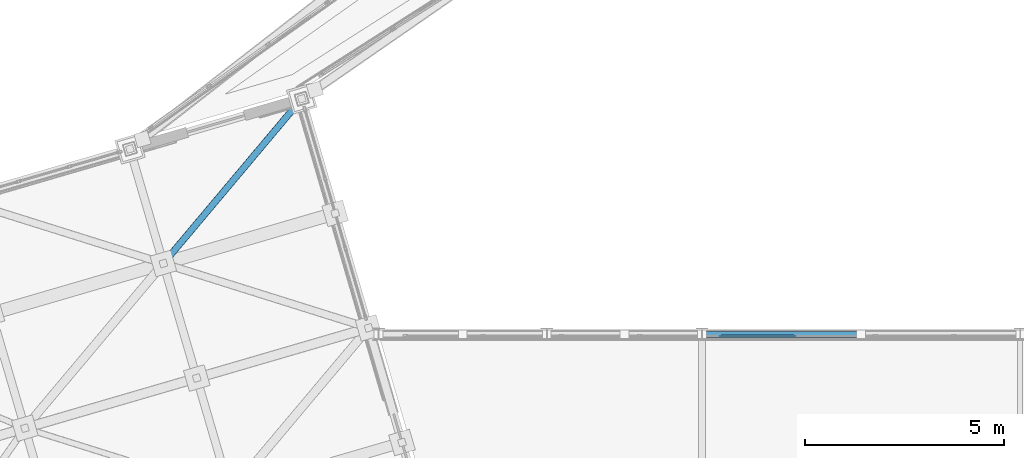
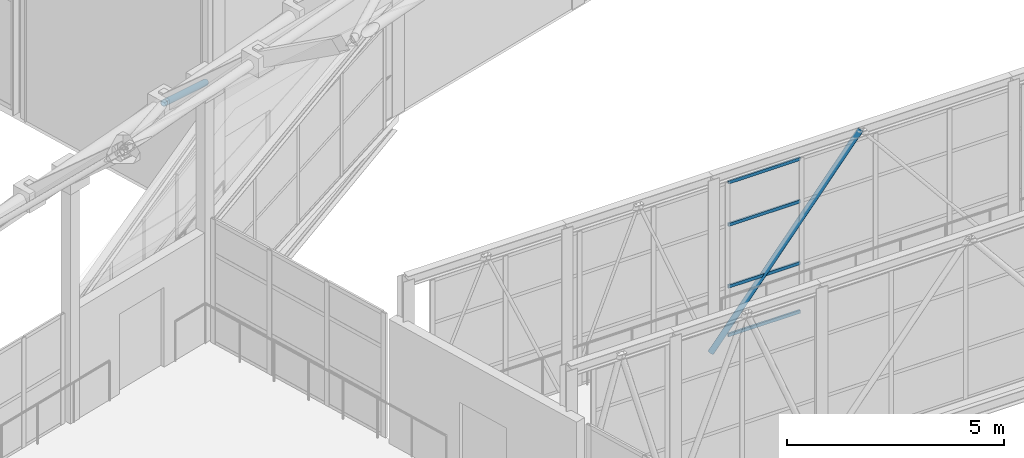
# One storey, part 128 of 248: 6 members, 1 element without a shape of its own.
"""IFC4 building model written with IfcOpenShell, lengths in metres."""

from ifc_helpers import new_model, si_unit, direction, frame, origin, origin_2d, place, context, subcontext, project, spatial, hollow_rectangle, hollow_circle, extrude, material, layer, layer_set, material_profile, profile_set, type_object, element, aggregate, save


model = new_model("IFC4")

# Units and contexts
model_context = context("Model", 3, precision=1e-05, world=origin(), true_north=direction((0.0, 1.0)))
body_context = subcontext(model_context, "Body", "Model", "MODEL_VIEW")
ifc_project = project(units=[si_unit("LENGTHUNIT", "METRE"), si_unit("AREAUNIT", "SQUARE_METRE"), si_unit("VOLUMEUNIT", "CUBIC_METRE"), si_unit("PLANEANGLEUNIT", "RADIAN"), si_unit("MASSUNIT", "GRAM", prefix="KILO")], contexts=[model_context])

# Site, building, storey
site_placement = place(None, origin())
site = spatial("IfcSite", under=ifc_project, at=site_placement, CompositionType="ELEMENT")
building_placement = place(site_placement, origin())
building = spatial("IfcBuilding", under=site, at=building_placement, Name="Canggui Botanical Conservatory", CompositionType="ELEMENT")
storey_placement = place(building_placement, frame((0.0, 0.0, 5.39990234375)))
storey = spatial("IfcBuildingStorey", under=building, at=storey_placement, Name="L02", CompositionType="ELEMENT", Elevation=5.39990234375)

# Curtain wall, members
ifc_material_1 = material(Name="Thermally Broken Aluminium", Category="aluminium")
ifc_layer = layer(ifc_material_1, 0.1201171875, Name="Thermally Broken Aluminium", Category="aluminium")
ifc_layer_set = layer_set([ifc_layer], Name="Thermally Broken Aluminium")
curtain_wall_type = type_object("IfcCurtainWallType", Name="CW-STICK-B", PredefinedType="USERDEFINED", material=ifc_layer_set)
curtain_wall_placement = place(storey_placement, origin())
curtain_wall = element("IfcCurtainWall", 1, at=curtain_wall_placement, inside=storey, type_object=curtain_wall_type, Name="Facade Curtain Wall CW-SB-04-2", ObjectType="STICK GLAZED WALL", PredefinedType="USERDEFINED")
ifc_material_profile_1 = material_profile(ifc_material_1, hollow_rectangle(XDim=0.044921875, YDim=0.090087890625, WallThickness=0.0029296875, at=origin_2d()), Name="CWT 45x90x3")
ifc_profile_set_1 = profile_set([ifc_material_profile_1], Name="Thermally Broken Aluminium")
member_type_1 = type_object("IfcMemberType", Name="CWT-05", PredefinedType="USERDEFINED", material=ifc_profile_set_1)
member_1_placement = place(storey_placement, frame((73.938720703125, 79.9599609375, 0.022705078125), z_axis=(1.0, 0.0, 0.0), x_axis=(0.0, 1.0, 0.0)))
member_1 = element("IfcMember", 2, at=member_1_placement, type_object=member_type_1, Name="CW-05 transom 5.1", ObjectType="TRANSOM", PredefinedType="USERDEFINED", context=body_context, shape_type="SweptSolid", body=[
    extrude(hollow_rectangle(XDim=0.044921875, YDim=0.090087890625, WallThickness=0.0029296875, at=origin_2d()), origin(), (0.0, 0.0, 1.0), 1.917724609375),
])
member_2_placement = place(storey_placement, frame((73.938720703125, 79.9599609375, 1.39208984375), z_axis=(1.0, 0.0, 0.0), x_axis=(0.0, 1.0, 0.0)))
member_2 = element("IfcMember", 3, at=member_2_placement, type_object=member_type_1, Name="CW-05 transom 5.2", ObjectType="TRANSOM", PredefinedType="USERDEFINED", context=body_context, shape_type="SweptSolid", body=[
    extrude(hollow_rectangle(XDim=0.044921875, YDim=0.090087890625, WallThickness=0.0029296875, at=origin_2d()), origin(), (0.0, 0.0, 1.0), 1.917724609375),
])
member_3_placement = place(storey_placement, frame((73.938720703125, 79.9599609375, 3.132080078125), z_axis=(1.0, 0.0, 0.0), x_axis=(0.0, 1.0, 0.0)))
member_3 = element("IfcMember", 4, at=member_3_placement, type_object=member_type_1, Name="CW-05 transom 5.3", ObjectType="TRANSOM", PredefinedType="USERDEFINED", context=body_context, shape_type="SweptSolid", body=[
    extrude(hollow_rectangle(XDim=0.044921875, YDim=0.090087890625, WallThickness=0.0029296875, at=origin_2d()), origin(), (0.0, 0.0, 1.0), 1.917724609375),
])
member_4_placement = place(storey_placement, frame((73.938720703125, 79.9599609375, 4.32763671875), z_axis=(1.0, 0.0, 0.0), x_axis=(0.0, 1.0, 0.0)))
member_4 = element("IfcMember", 5, at=member_4_placement, type_object=member_type_1, Name="CW-05 transom 5.4", ObjectType="TRANSOM", PredefinedType="USERDEFINED", context=body_context, shape_type="SweptSolid", body=[
    extrude(hollow_rectangle(XDim=0.044921875, YDim=0.090087890625, WallThickness=0.0029296875, at=origin_2d()), origin(), (0.0, 0.0, 1.0), 1.917724609375),
])
aggregate(curtain_wall, [member_1, member_2, member_3, member_4])

# Members
ifc_material_2 = material(Name="Steel Q355C", Category="steel")
ifc_material_profile_2 = material_profile(ifc_material_2, hollow_circle(Radius=0.083984375, WallThickness=0.008056640625, at=origin_2d()), Name="CHS 168x8")
ifc_profile_set_2 = profile_set([ifc_material_profile_2], Name="Steel Q355C")
member_type_2 = type_object("IfcMemberType", Name="MEM-GSD03", PredefinedType="RAFTER", material=ifc_profile_set_2)
member_5_placement = place(storey_placement, frame((59.9599609375, 81.780029296875, 10.356201171875), z_axis=(0.555753233714, 0.661141264493, -0.504014455747), x_axis=(-0.765479825805, 0.643459894853, 0.0)))
element("IfcMember", 6, at=member_5_placement, inside=storey, type_object=member_type_2, Name="Conservatory Gridshell Diagrid Rafter 14-10", PredefinedType="RAFTER", context=body_context, shape_type="SweptSolid", body=[
    extrude(hollow_circle(Radius=0.083984375, WallThickness=0.008056640625, at=origin_2d()), origin(), (0.0, 0.0, 1.0), 6.26171875),
])
ifc_material_profile_3 = material_profile(ifc_material_2, hollow_circle(Radius=0.075927734375, WallThickness=0.006103515625, at=origin_2d()), Name="CHS 152x6")
ifc_profile_set_3 = profile_set([ifc_material_profile_3], Name="Steel Q355C")
member_type_3 = type_object("IfcMemberType", Name="MEM-GSD04", PredefinedType="RAFTER", material=ifc_profile_set_3)
member_6_placement = place(storey_placement, frame((73.5, 80.0, -0.349853515625), z_axis=(0.632384053133, 0.0, 0.774655026024), x_axis=(0.0, 1.0, 0.0)))
element("IfcMember", 7, at=member_6_placement, inside=storey, type_object=member_type_3, Name="SB-04 Truss Web Rafter 2.3A", PredefinedType="RAFTER", context=body_context, shape_type="SweptSolid", body=[
    extrude(hollow_circle(Radius=0.075927734375, WallThickness=0.006103515625, at=origin_2d()), origin(), (0.0, 0.0, 1.0), 6.3251953125),
])

save(model, "model.ifc")
